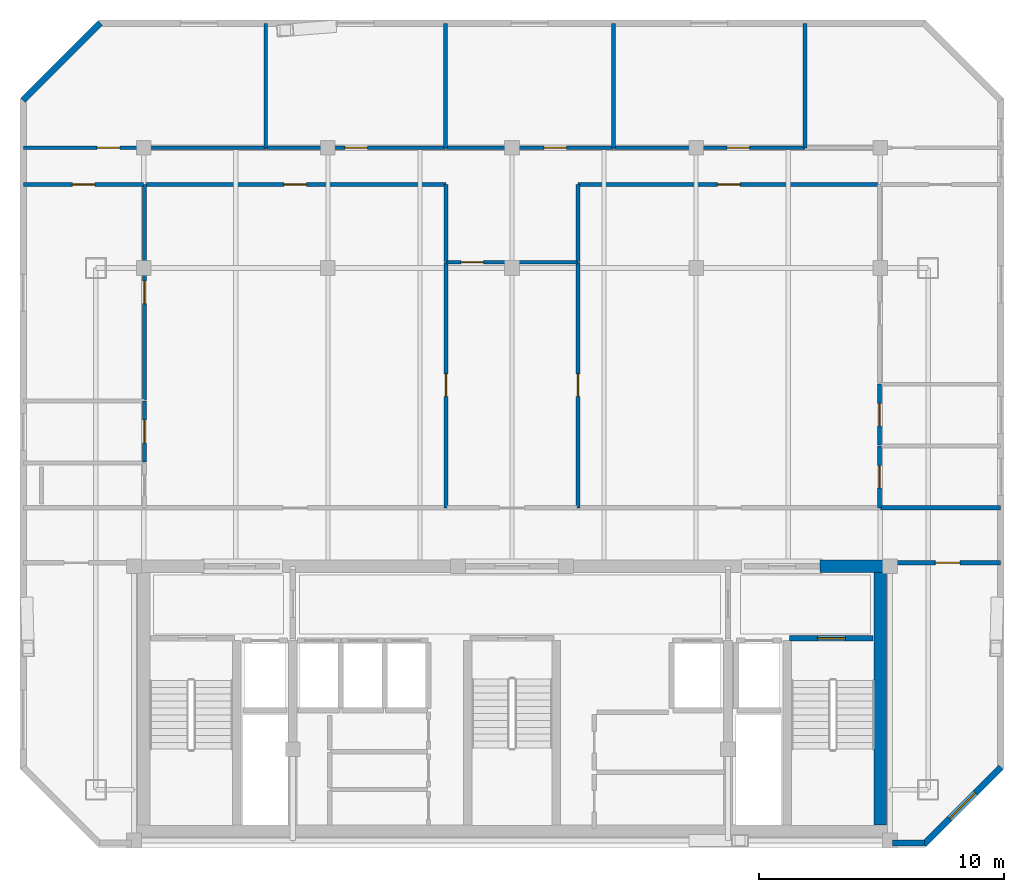
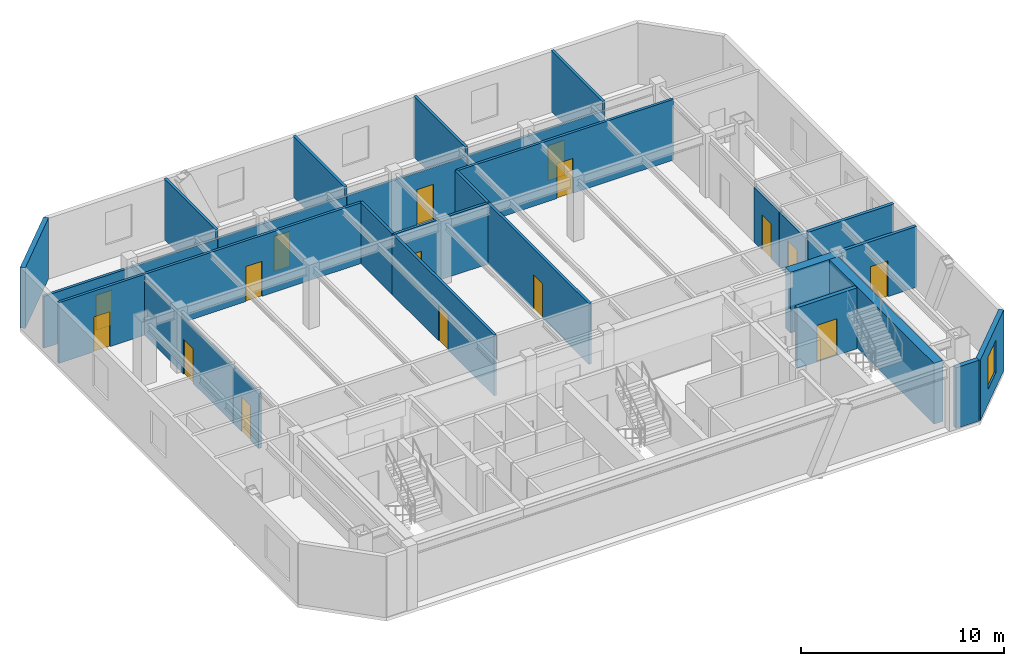
# One storey, part 4 of 6: 28 walls, 16 doors, 1 window, 17 openings.
"""IFC4 building model written with IfcOpenShell, lengths in metres."""

from ifc_helpers import new_model, si_unit, direction, frame, frame_2d, origin, place, context, subcontext, project, spatial, rectangle, extrude, material, layer, layer_set, type_object, element, fill, save


model = new_model("IFC4")

# Units and contexts
model_context = context("Model", 3, precision=1e-05, world=origin(), true_north=direction((0.0, 1.0)))
body_context = subcontext(model_context, "Body", "Model", "MODEL_VIEW")
ifc_project = project(units=[si_unit("LENGTHUNIT", "METRE"), si_unit("AREAUNIT", "SQUARE_METRE"), si_unit("VOLUMEUNIT", "CUBIC_METRE"), si_unit("PLANEANGLEUNIT", "RADIAN"), si_unit("MASSUNIT", "GRAM", prefix="KILO")], contexts=[model_context])

# Site, building, storey
site_placement = place(None, origin())
site = spatial("IfcSite", under=ifc_project, at=site_placement, CompositionType="ELEMENT")
building_placement = place(site_placement, origin())
building = spatial("IfcBuilding", under=site, at=building_placement, Name="Ventersveld Concourse Tower", CompositionType="ELEMENT")
storey_placement = place(building_placement, frame((0.0, 0.0, 300.300048828125)))
storey = spatial("IfcBuildingStorey", under=building, at=storey_placement, Name="L74", CompositionType="ELEMENT", Elevation=300.300048828125)

# Walls
ifc_material_1 = material(Name="Concrete C50/60", Category="concrete")
ifc_layer_1 = layer(ifc_material_1, 0.5)
ifc_layer_set_1 = layer_set([ifc_layer_1], Name="Concrete C50/60")
wall_type_1 = type_object("IfcWallType", Name="WL-CORE-500", PredefinedType="SHEAR", material=ifc_layer_set_1)
wall_1_placement = place(storey_placement, frame((43.75, 0.919921875, 0.0), z_axis=(0.0, 0.0, 1.0), x_axis=(0.0, 1.0, 0.0)))
element("IfcWall", 1, at=wall_1_placement, inside=storey, type_object=wall_type_1, Name="L74 Rear Core East Shear Wall", PredefinedType="SHEAR", context=body_context, shape_type="SweptSolid", body=[
    extrude(rectangle(XDim=10.530029296875, YDim=0.5, at=frame_2d((5.26513671875, 0.0))), origin(), (0.0, 0.0, 1.0), 3.64990234375),
])
wall_2_placement = place(storey_placement, frame((41.300048828125, 11.449951171875, 0.0), z_axis=(0.0, 0.0, 1.0), x_axis=(1.0, 0.0, 0.0)))
element("IfcWall", 2, at=wall_2_placement, inside=storey, type_object=wall_type_1, Name="L74 Rear Core North Shear Wall NE", PredefinedType="SHEAR", context=body_context, shape_type="SweptSolid", body=[
    extrude(rectangle(XDim=2.949951171875, YDim=0.5, at=frame_2d((1.47509765625, 0.0))), origin(), (0.0, 0.0, 1.0), 3.64990234375),
])

# Wall, opening, door
ifc_material_2 = material(Name="Fire-rated autoclaved aerated masonry blockwork", Category="masonry")
ifc_layer_2 = layer(ifc_material_2, 0.179931640625)
ifc_layer_set_2 = layer_set([ifc_layer_2], Name="Fire-rated autoclaved aerated masonry blockwork")
wall_type_2 = type_object("IfcWallType", Name="WL-CORR-180", PredefinedType="PARTITIONING", material=ifc_layer_set_2)
wall_3_placement = place(storey_placement, frame((44.35498046875, 11.60009765625, 0.0), z_axis=(0.0, 0.0, 1.0), x_axis=(1.0, 0.0, 0.0)))
wall_3 = element("IfcWall", 3, at=wall_3_placement, inside=storey, type_object=wall_type_2, Name="L74 Interior Partition SP-L74-SE-OFF-SP-L74-COR", PredefinedType="PARTITIONING", context=body_context, shape_type="SweptSolid", body=[
    extrude(rectangle(XDim=4.286865234375, YDim=0.179931640625, at=frame_2d((2.1435546875, 0.0))), origin(), (0.0, 0.0, 1.0), 3.64990234375),
])
opening_1_placement = place(wall_3_placement, frame((1.6435546875, 0.0, 0.0)))
opening_1 = element("IfcOpeningElement", 4, at=opening_1_placement, cuts=wall_3, Name="Opening FD3", PredefinedType="OPENING", context=body_context, shape_type="SweptSolid", body=[
    extrude(rectangle(XDim=1.0, YDim=2.14990234375, at=frame_2d((0.5, 1.074951171875))), frame((0.0, 0.10009765625, 0.0), z_axis=(0.0, -1.0, 0.0), x_axis=(1.0, 0.0, 0.0)), (0.0, 0.0, 1.0), 0.199951171875),
])
ifc_material_3 = material(Name="Solid-core hardwood veneer timber", Category="wood")
door_type_1 = type_object("IfcDoorType", Name="DR-FLAT-100", OperationType="NOTDEFINED", PredefinedType="DOOR", material=ifc_material_3)
door_1_placement = place(opening_1_placement, origin())
door_1 = element("IfcDoor", 5, at=door_1_placement, inside=storey, type_object=door_type_1, Name="L74 Interior Door SP-L74-SE-OFF to SP-L74-COR (D-L74-3418)", OperationType="SINGLE_SWING_RIGHT", OverallHeight=2.14990234375, OverallWidth=1.0, PredefinedType="DOOR", context=body_context, shape_type="SweptSolid", body=[
    extrude(rectangle(XDim=1.0, YDim=2.14990234375, at=frame_2d((0.5, 1.074951171875))), frame((0.0, 0.02490234375, 0.0), z_axis=(0.0, -1.0, 0.0), x_axis=(1.0, 0.0, 0.0)), (0.0, 0.0, 1.0), 0.050048828125),
])
fill(opening_1, door_1)

# Wall
wall_4_placement = place(storey_placement, frame((43.75634765625, 13.830078125, 0.0), z_axis=(0.0, 0.0, 1.0), x_axis=(1.0, 0.0, 0.0)))
element("IfcWall", 6, at=wall_4_placement, inside=storey, type_object=wall_type_2, Name="L74 Interior Partition SP-L74-COR-SP-L74-74N1-KIT", PredefinedType="PARTITIONING", context=body_context, shape_type="SweptSolid", body=[
    extrude(rectangle(XDim=4.885498046875, YDim=0.179931640625, at=frame_2d((2.44287109375, 0.0))), origin(), (0.0, 0.0, 1.0), 3.64990234375),
])

# Wall, opening, door
ifc_layer_3 = layer(ifc_material_2, 0.219970703125)
ifc_layer_set_3 = layer_set([ifc_layer_3], Name="Fire-rated autoclaved aerated masonry blockwork")
wall_type_3 = type_object("IfcWallType", Name="WL-HOIST-220", PredefinedType="SOLIDWALL", material=ifc_layer_set_3)
wall_5_placement = place(storey_placement, frame((40.06005859375, 8.52001953125, 0.0), z_axis=(0.0, 0.0, 1.0), x_axis=(1.0, 0.0, 0.0)))
wall_5 = element("IfcWall", 7, at=wall_5_placement, inside=storey, type_object=wall_type_3, Name="L74 Escape Stair ST02 Fire Wall", PredefinedType="SOLIDWALL", context=body_context, shape_type="SweptSolid", body=[
    extrude(rectangle(XDim=3.39990234375, YDim=0.219970703125, at=frame_2d((1.699951171875, 0.0))), origin(), (0.0, 0.0, 1.0), 3.64990234375),
])
opening_2_placement = place(wall_5_placement, frame((1.125, 0.0, 0.0)))
opening_2 = element("IfcOpeningElement", 8, at=opening_2_placement, cuts=wall_5, Name="Opening FD1", PredefinedType="OPENING", context=body_context, shape_type="SweptSolid", body=[
    extrude(rectangle(XDim=1.14990234375, YDim=2.199951171875, at=frame_2d((0.574951171875, 1.10009765625))), frame((0.0, 0.1201171875, 0.0), z_axis=(0.0, -1.0, 0.0), x_axis=(1.0, 0.0, 0.0)), (0.0, 0.0, 1.0), 0.239990234375),
])
ifc_material_4 = material(Name="Galvanised painted steel", Category="steel")
door_type_2 = type_object("IfcDoorType", Name="DR-STAIR-115", OperationType="NOTDEFINED", PredefinedType="DOOR", material=ifc_material_4)
door_2_placement = place(opening_2_placement, origin())
door_2 = element("IfcDoor", 9, at=door_2_placement, inside=storey, type_object=door_type_2, Name="L74 Escape Stair Door ST02 (SD-L74-3405)", OperationType="SINGLE_SWING_RIGHT", OverallHeight=2.199951171875, OverallWidth=1.14990234375, PredefinedType="DOOR", context=body_context, shape_type="SweptSolid", body=[
    extrude(rectangle(XDim=1.14990234375, YDim=2.199951171875, at=frame_2d((0.574951171875, 1.10009765625))), frame((0.0, 0.02490234375, 0.0), z_axis=(0.0, -1.0, 0.0), x_axis=(1.0, 0.0, 0.0)), (0.0, 0.0, 1.0), 0.050048828125),
])
fill(opening_2, door_2)

ifc_material_5 = material(Name="Autoclaved aerated masonry blockwork", Category="masonry")
ifc_layer_4 = layer(ifc_material_5, 0.14990234375)
ifc_layer_set_4 = layer_set([ifc_layer_4], Name="Autoclaved aerated masonry blockwork")
wall_type_4 = type_object("IfcWallType", Name="WL-INT-150", PredefinedType="PARTITIONING", material=ifc_layer_set_4)
wall_6_placement = place(storey_placement, frame((26.06005859375, 13.824951171875, 0.0), z_axis=(0.0, 0.0, 1.0), x_axis=(0.0, 1.0, 0.0)))
wall_6 = element("IfcWall", 10, at=wall_6_placement, inside=storey, type_object=wall_type_4, Name="L74 Interior Partition SP-L74-74N1-WGAL1-SP-L74-74N1-FOY", PredefinedType="PARTITIONING", context=body_context, shape_type="SweptSolid", body=[
    extrude(rectangle(XDim=10.01123046875, YDim=0.14990234375, at=frame_2d((5.005615234375, 0.0))), origin(), (0.0, 0.0, 1.0), 3.64990234375),
])
opening_3_placement = place(wall_6_placement, frame((4.545654296875, 0.0, 0.0)))
opening_3 = element("IfcOpeningElement", 11, at=opening_3_placement, cuts=wall_6, Name="Opening ID1", PredefinedType="OPENING", context=body_context, shape_type="SweptSolid", body=[
    extrude(rectangle(XDim=0.919921875, YDim=2.10009765625, at=frame_2d((0.4599609375, 1.050048828125))), frame((0.0, 0.0849609375, 0.0), z_axis=(0.0, -1.0, 0.0), x_axis=(1.0, 0.0, 0.0)), (0.0, 0.0, 1.0), 0.169921875),
])
door_type_3 = type_object("IfcDoorType", Name="DR-ROOM-092", OperationType="NOTDEFINED", PredefinedType="DOOR", material=ifc_material_3)
door_3_placement = place(opening_3_placement, origin())
door_3 = element("IfcDoor", 12, at=door_3_placement, inside=storey, type_object=door_type_3, Name="L74 Interior Door SP-L74-74N1-WGAL1 to SP-L74-74N1-FOY (D-L74-3422)", OperationType="SINGLE_SWING_RIGHT", OverallHeight=2.10009765625, OverallWidth=0.919921875, PredefinedType="DOOR", context=body_context, shape_type="SweptSolid", body=[
    extrude(rectangle(XDim=0.919921875, YDim=2.10009765625, at=frame_2d((0.4599609375, 1.050048828125))), frame((0.0, 0.02490234375, 0.0), z_axis=(0.0, -1.0, 0.0), x_axis=(1.0, 0.0, 0.0)), (0.0, 0.0, 1.0), 0.050048828125),
])
fill(opening_3, door_3)

wall_7_placement = place(storey_placement, frame((13.773681640625, 27.0, 0.0), z_axis=(0.0, 0.0, 1.0), x_axis=(1.0, 0.0, 0.0)))
wall_7 = element("IfcWall", 13, at=wall_7_placement, inside=storey, type_object=wall_type_4, Name="L74 Interior Partition SP-L74-74N1-WGAL1-SP-L74-74N1-LIV", PredefinedType="PARTITIONING", context=body_context, shape_type="SweptSolid", body=[
    extrude(rectangle(XDim=12.291259765625, YDim=0.14990234375, at=frame_2d((6.1455078125, 0.0))), origin(), (0.0, 0.0, 1.0), 3.64990234375),
])
opening_4_placement = place(wall_7_placement, frame((5.685791015625, 0.0, 0.0)))
opening_4 = element("IfcOpeningElement", 14, at=opening_4_placement, cuts=wall_7, Name="Opening ID1", PredefinedType="OPENING", context=body_context, shape_type="SweptSolid", body=[
    extrude(rectangle(XDim=0.919921875, YDim=2.10009765625, at=frame_2d((0.4599609375, 1.050048828125))), frame((0.0, 0.0849609375, 0.0), z_axis=(0.0, -1.0, 0.0), x_axis=(1.0, 0.0, 0.0)), (0.0, 0.0, 1.0), 0.169921875),
])
door_4_placement = place(opening_4_placement, origin())
door_4 = element("IfcDoor", 15, at=door_4_placement, inside=storey, type_object=door_type_3, Name="L74 Interior Door SP-L74-74N1-WGAL1 to SP-L74-74N1-LIV (D-L74-3423)", OperationType="SINGLE_SWING_LEFT", OverallHeight=2.10009765625, OverallWidth=0.919921875, PredefinedType="DOOR", context=body_context, shape_type="SweptSolid", body=[
    extrude(rectangle(XDim=0.919921875, YDim=2.10009765625, at=frame_2d((0.4599609375, 1.050048828125))), frame((0.0, 0.02490234375, 0.0), z_axis=(0.0, -1.0, 0.0), x_axis=(1.0, 0.0, 0.0)), (0.0, 0.0, 1.0), 0.050048828125),
])
fill(opening_4, door_4)

# Wall
wall_8_placement = place(storey_placement, frame((26.06005859375, 23.8662109375, 0.0), z_axis=(0.0, 0.0, 1.0), x_axis=(0.0, 1.0, 0.0)))
element("IfcWall", 16, at=wall_8_placement, inside=storey, type_object=wall_type_4, Name="L74 Interior Partition SP-L74-74N1-WGAL1-SP-L74-74N1-LIV", PredefinedType="PARTITIONING", context=body_context, shape_type="SweptSolid", body=[
    extrude(rectangle(XDim=3.138671875, YDim=0.14990234375, at=frame_2d((1.5693359375, 0.0))), origin(), (0.0, 0.0, 1.0), 3.64990234375),
])

# Wall, opening, door
wall_9_placement = place(storey_placement, frame((13.778564453125, 15.695068359375, 0.0), z_axis=(0.0, 0.0, 1.0), x_axis=(0.0, 1.0, 0.0)))
wall_9 = element("IfcWall", 17, at=wall_9_placement, inside=storey, type_object=wall_type_4, Name="L74 Interior Partition SP-L74-74N1-WGAL1-SP-L74-74N1-PANL2", PredefinedType="PARTITIONING", context=body_context, shape_type="SweptSolid", body=[
    extrude(rectangle(XDim=2.491455078125, YDim=0.14990234375, at=frame_2d((1.24560546875, 0.0))), origin(), (0.0, 0.0, 1.0), 3.294921875),
])
opening_5_placement = place(wall_9_placement, frame((0.785888671875, 0.0, 0.0)))
opening_5 = element("IfcOpeningElement", 18, at=opening_5_placement, cuts=wall_9, Name="Opening ID1", PredefinedType="OPENING", context=body_context, shape_type="SweptSolid", body=[
    extrude(rectangle(XDim=0.919921875, YDim=2.10009765625, at=frame_2d((0.4599609375, 1.050048828125))), frame((0.0, 0.0849609375, 0.0), z_axis=(0.0, -1.0, 0.0), x_axis=(1.0, 0.0, 0.0)), (0.0, 0.0, 1.0), 0.169921875),
])
door_5_placement = place(opening_5_placement, origin())
door_5 = element("IfcDoor", 19, at=door_5_placement, inside=storey, type_object=door_type_3, Name="L74 Interior Door SP-L74-74N1-WGAL1 to SP-L74-74N1-PANL2 (D-L74-3425)", OperationType="SINGLE_SWING_LEFT", OverallHeight=2.10009765625, OverallWidth=0.919921875, PredefinedType="DOOR", context=body_context, shape_type="SweptSolid", body=[
    extrude(rectangle(XDim=0.919921875, YDim=2.10009765625, at=frame_2d((0.4599609375, 1.050048828125))), frame((0.0, 0.02490234375, 0.0), z_axis=(0.0, -1.0, 0.0), x_axis=(1.0, 0.0, 0.0)), (0.0, 0.0, 1.0), 0.050048828125),
])
fill(opening_5, door_5)

wall_10_placement = place(storey_placement, frame((13.778564453125, 18.216552734375, 0.0), z_axis=(0.0, 0.0, 1.0), x_axis=(0.0, 1.0, 0.0)))
wall_10 = element("IfcWall", 20, at=wall_10_placement, inside=storey, type_object=wall_type_4, Name="L74 Interior Partition SP-L74-74N1-WGAL1-SP-L74-74N1-OFFL0", PredefinedType="PARTITIONING", context=body_context, shape_type="SweptSolid", body=[
    extrude(rectangle(XDim=8.788330078125, YDim=0.14990234375, at=frame_2d((4.39404296875, 0.0))), origin(), (0.0, 0.0, 1.0), 3.294921875),
])
opening_6_placement = place(wall_10_placement, frame((3.93408203125, 0.0, 0.0)))
opening_6 = element("IfcOpeningElement", 21, at=opening_6_placement, cuts=wall_10, Name="Opening ID1", PredefinedType="OPENING", context=body_context, shape_type="SweptSolid", body=[
    extrude(rectangle(XDim=0.919921875, YDim=2.10009765625, at=frame_2d((0.4599609375, 1.050048828125))), frame((0.0, 0.0849609375, 0.0), z_axis=(0.0, -1.0, 0.0), x_axis=(1.0, 0.0, 0.0)), (0.0, 0.0, 1.0), 0.169921875),
])
door_6_placement = place(opening_6_placement, origin())
door_6 = element("IfcDoor", 22, at=door_6_placement, inside=storey, type_object=door_type_3, Name="L74 Interior Door SP-L74-74N1-WGAL1 to SP-L74-74N1-OFFL0 (D-L74-3426)", OperationType="SINGLE_SWING_RIGHT", OverallHeight=2.10009765625, OverallWidth=0.919921875, PredefinedType="DOOR", context=body_context, shape_type="SweptSolid", body=[
    extrude(rectangle(XDim=0.919921875, YDim=2.10009765625, at=frame_2d((0.4599609375, 1.050048828125))), frame((0.0, 0.02490234375, 0.0), z_axis=(0.0, -1.0, 0.0), x_axis=(1.0, 0.0, 0.0)), (0.0, 0.0, 1.0), 0.050048828125),
])
fill(opening_6, door_6)

wall_11_placement = place(storey_placement, frame((31.43994140625, 13.824951171875, 0.0), z_axis=(0.0, 0.0, 1.0), x_axis=(0.0, 1.0, 0.0)))
wall_11 = element("IfcWall", 23, at=wall_11_placement, inside=storey, type_object=wall_type_4, Name="L74 Interior Partition SP-L74-74N1-EGAL1-SP-L74-74N1-FOY", PredefinedType="PARTITIONING", context=body_context, shape_type="SweptSolid", body=[
    extrude(rectangle(XDim=10.01123046875, YDim=0.14990234375, at=frame_2d((5.005615234375, 0.0))), origin(), (0.0, 0.0, 1.0), 3.64990234375),
])
opening_7_placement = place(wall_11_placement, frame((4.545654296875, 0.0, 0.0)))
opening_7 = element("IfcOpeningElement", 24, at=opening_7_placement, cuts=wall_11, Name="Opening ID1", PredefinedType="OPENING", context=body_context, shape_type="SweptSolid", body=[
    extrude(rectangle(XDim=0.919921875, YDim=2.10009765625, at=frame_2d((0.4599609375, 1.050048828125))), frame((0.0, 0.0849609375, 0.0), z_axis=(0.0, -1.0, 0.0), x_axis=(1.0, 0.0, 0.0)), (0.0, 0.0, 1.0), 0.169921875),
])
door_7_placement = place(opening_7_placement, origin())
door_7 = element("IfcDoor", 25, at=door_7_placement, inside=storey, type_object=door_type_3, Name="L74 Interior Door SP-L74-74N1-EGAL1 to SP-L74-74N1-FOY (D-L74-3427)", OperationType="SINGLE_SWING_LEFT", OverallHeight=2.10009765625, OverallWidth=0.919921875, PredefinedType="DOOR", context=body_context, shape_type="SweptSolid", body=[
    extrude(rectangle(XDim=0.919921875, YDim=2.10009765625, at=frame_2d((0.4599609375, 1.050048828125))), frame((0.0, 0.02490234375, 0.0), z_axis=(0.0, -1.0, 0.0), x_axis=(1.0, 0.0, 0.0)), (0.0, 0.0, 1.0), 0.050048828125),
])
fill(opening_7, door_7)

wall_12_placement = place(storey_placement, frame((31.43505859375, 27.0, 0.0), z_axis=(0.0, 0.0, 1.0), x_axis=(1.0, 0.0, 0.0)))
wall_12 = element("IfcWall", 26, at=wall_12_placement, inside=storey, type_object=wall_type_4, Name="L74 Interior Partition SP-L74-74N1-EGAL1-SP-L74-74N1-LIV", PredefinedType="PARTITIONING", context=body_context, shape_type="SweptSolid", body=[
    extrude(rectangle(XDim=12.291259765625, YDim=0.14990234375, at=frame_2d((6.1455078125, 0.0))), origin(), (0.0, 0.0, 1.0), 3.64990234375),
])
opening_8_placement = place(wall_12_placement, frame((5.685791015625, 0.0, 0.0)))
opening_8 = element("IfcOpeningElement", 27, at=opening_8_placement, cuts=wall_12, Name="Opening ID1", PredefinedType="OPENING", context=body_context, shape_type="SweptSolid", body=[
    extrude(rectangle(XDim=0.919921875, YDim=2.10009765625, at=frame_2d((0.4599609375, 1.050048828125))), frame((0.0, 0.0849609375, 0.0), z_axis=(0.0, -1.0, 0.0), x_axis=(1.0, 0.0, 0.0)), (0.0, 0.0, 1.0), 0.169921875),
])
door_8_placement = place(opening_8_placement, origin())
door_8 = element("IfcDoor", 28, at=door_8_placement, inside=storey, type_object=door_type_3, Name="L74 Interior Door SP-L74-74N1-EGAL1 to SP-L74-74N1-LIV (D-L74-3428)", OperationType="SINGLE_SWING_RIGHT", OverallHeight=2.10009765625, OverallWidth=0.919921875, PredefinedType="DOOR", context=body_context, shape_type="SweptSolid", body=[
    extrude(rectangle(XDim=0.919921875, YDim=2.10009765625, at=frame_2d((0.4599609375, 1.050048828125))), frame((0.0, 0.02490234375, 0.0), z_axis=(0.0, -1.0, 0.0), x_axis=(1.0, 0.0, 0.0)), (0.0, 0.0, 1.0), 0.050048828125),
])
fill(opening_8, door_8)

# Wall
wall_13_placement = place(storey_placement, frame((31.43994140625, 23.8662109375, 0.0), z_axis=(0.0, 0.0, 1.0), x_axis=(0.0, 1.0, 0.0)))
element("IfcWall", 29, at=wall_13_placement, inside=storey, type_object=wall_type_4, Name="L74 Interior Partition SP-L74-74N1-EGAL1-SP-L74-74N1-LIV", PredefinedType="PARTITIONING", context=body_context, shape_type="SweptSolid", body=[
    extrude(rectangle(XDim=3.138671875, YDim=0.14990234375, at=frame_2d((1.5693359375, 0.0))), origin(), (0.0, 0.0, 1.0), 3.64990234375),
])

# Wall, opening, door
wall_14_placement = place(storey_placement, frame((43.721435546875, 13.824951171875, 0.0), z_axis=(0.0, 0.0, 1.0), x_axis=(0.0, 1.0, 0.0)))
wall_14 = element("IfcWall", 30, at=wall_14_placement, inside=storey, type_object=wall_type_4, Name="L74 Interior Partition SP-L74-74N1-EGAL1-SP-L74-74N1-KIT", PredefinedType="PARTITIONING", context=body_context, shape_type="SweptSolid", body=[
    extrude(rectangle(XDim=2.531494140625, YDim=0.14990234375, at=frame_2d((1.265625, 0.0))), origin(), (0.0, 0.0, 1.0), 3.294921875),
])
opening_9_placement = place(wall_14_placement, frame((0.805908203125, 0.0, 0.0)))
opening_9 = element("IfcOpeningElement", 31, at=opening_9_placement, cuts=wall_14, Name="Opening ID1", PredefinedType="OPENING", context=body_context, shape_type="SweptSolid", body=[
    extrude(rectangle(XDim=0.919921875, YDim=2.10009765625, at=frame_2d((0.4599609375, 1.050048828125))), frame((0.0, 0.0849609375, 0.0), z_axis=(0.0, -1.0, 0.0), x_axis=(1.0, 0.0, 0.0)), (0.0, 0.0, 1.0), 0.169921875),
])
door_9_placement = place(opening_9_placement, origin())
door_9 = element("IfcDoor", 32, at=door_9_placement, inside=storey, type_object=door_type_3, Name="L74 Interior Door SP-L74-74N1-EGAL1 to SP-L74-74N1-KIT (D-L74-3429)", OperationType="SINGLE_SWING_LEFT", OverallHeight=2.10009765625, OverallWidth=0.919921875, PredefinedType="DOOR", context=body_context, shape_type="SweptSolid", body=[
    extrude(rectangle(XDim=0.919921875, YDim=2.10009765625, at=frame_2d((0.4599609375, 1.050048828125))), frame((0.0, 0.02490234375, 0.0), z_axis=(0.0, -1.0, 0.0), x_axis=(1.0, 0.0, 0.0)), (0.0, 0.0, 1.0), 0.050048828125),
])
fill(opening_9, door_9)

wall_15_placement = place(storey_placement, frame((43.721435546875, 16.386474609375, 0.0), z_axis=(0.0, 0.0, 1.0), x_axis=(0.0, 1.0, 0.0)))
wall_15 = element("IfcWall", 33, at=wall_15_placement, inside=storey, type_object=wall_type_4, Name="L74 Interior Partition SP-L74-74N1-EGAL1-SP-L74-74N1-PANR3", PredefinedType="PARTITIONING", context=body_context, shape_type="SweptSolid", body=[
    extrude(rectangle(XDim=2.491455078125, YDim=0.14990234375, at=frame_2d((1.24560546875, 0.0))), origin(), (0.0, 0.0, 1.0), 3.294921875),
])
opening_10_placement = place(wall_15_placement, frame((0.78564453125, 0.0, 0.0)))
opening_10 = element("IfcOpeningElement", 34, at=opening_10_placement, cuts=wall_15, Name="Opening ID1", PredefinedType="OPENING", context=body_context, shape_type="SweptSolid", body=[
    extrude(rectangle(XDim=0.919921875, YDim=2.10009765625, at=frame_2d((0.4599609375, 1.050048828125))), frame((0.0, 0.0849609375, 0.0), z_axis=(0.0, -1.0, 0.0), x_axis=(1.0, 0.0, 0.0)), (0.0, 0.0, 1.0), 0.169921875),
])
door_10_placement = place(opening_10_placement, origin())
door_10 = element("IfcDoor", 35, at=door_10_placement, inside=storey, type_object=door_type_3, Name="L74 Interior Door SP-L74-74N1-EGAL1 to SP-L74-74N1-PANR3 (D-L74-3430)", OperationType="SINGLE_SWING_RIGHT", OverallHeight=2.10009765625, OverallWidth=0.919921875, PredefinedType="DOOR", context=body_context, shape_type="SweptSolid", body=[
    extrude(rectangle(XDim=0.919921875, YDim=2.10009765625, at=frame_2d((0.4599609375, 1.050048828125))), frame((0.0, 0.02490234375, 0.0), z_axis=(0.0, -1.0, 0.0), x_axis=(1.0, 0.0, 0.0)), (0.0, 0.0, 1.0), 0.050048828125),
])
fill(opening_10, door_10)

wall_16_placement = place(storey_placement, frame((26.054931640625, 23.831298828125, 0.0), z_axis=(0.0, 0.0, 1.0), x_axis=(1.0, 0.0, 0.0)))
wall_16 = element("IfcWall", 36, at=wall_16_placement, inside=storey, type_object=wall_type_4, Name="L74 Interior Partition SP-L74-74N1-FOY-SP-L74-74N1-LIV", PredefinedType="PARTITIONING", context=body_context, shape_type="SweptSolid", body=[
    extrude(rectangle(XDim=5.39013671875, YDim=0.14990234375, at=frame_2d((2.695068359375, 0.0))), origin(), (0.0, 0.0, 1.0), 3.64990234375),
])
opening_11_placement = place(wall_16_placement, frame((0.617919921875, 0.0, 0.0)))
opening_11 = element("IfcOpeningElement", 37, at=opening_11_placement, cuts=wall_16, Name="Opening ID1", PredefinedType="OPENING", context=body_context, shape_type="SweptSolid", body=[
    extrude(rectangle(XDim=0.919921875, YDim=2.10009765625, at=frame_2d((0.4599609375, 1.050048828125))), frame((0.0, 0.0849609375, 0.0), z_axis=(0.0, -1.0, 0.0), x_axis=(1.0, 0.0, 0.0)), (0.0, 0.0, 1.0), 0.169921875),
])
door_11_placement = place(opening_11_placement, origin())
door_11 = element("IfcDoor", 38, at=door_11_placement, inside=storey, type_object=door_type_3, Name="L74 Interior Door SP-L74-74N1-FOY to SP-L74-74N1-LIV (D-L74-3432)", OperationType="SINGLE_SWING_RIGHT", OverallHeight=2.10009765625, OverallWidth=0.919921875, PredefinedType="DOOR", context=body_context, shape_type="SweptSolid", body=[
    extrude(rectangle(XDim=0.919921875, YDim=2.10009765625, at=frame_2d((0.4599609375, 1.050048828125))), frame((0.0, 0.02490234375, 0.0), z_axis=(0.0, -1.0, 0.0), x_axis=(1.0, 0.0, 0.0)), (0.0, 0.0, 1.0), 0.050048828125),
])
fill(opening_11, door_11)

wall_17_placement = place(storey_placement, frame((8.858154296875, 27.0, 0.0), z_axis=(0.0, 0.0, 1.0), x_axis=(1.0, 0.0, 0.0)))
wall_17 = element("IfcWall", 39, at=wall_17_placement, inside=storey, type_object=wall_type_4, Name="L74 Interior Partition SP-L74-74N1-LIV-SP-L74-74N1-OFFL0", PredefinedType="PARTITIONING", context=body_context, shape_type="SweptSolid", body=[
    extrude(rectangle(XDim=4.885498046875, YDim=0.14990234375, at=frame_2d((2.44287109375, 0.0))), origin(), (0.0, 0.0, 1.0), 3.64990234375),
])
opening_12_placement = place(wall_17_placement, frame((1.98291015625, 0.0, 0.0)))
opening_12 = element("IfcOpeningElement", 40, at=opening_12_placement, cuts=wall_17, Name="Opening ID1", PredefinedType="OPENING", context=body_context, shape_type="SweptSolid", body=[
    extrude(rectangle(XDim=0.919921875, YDim=2.10009765625, at=frame_2d((0.4599609375, 1.050048828125))), frame((0.0, 0.0849609375, 0.0), z_axis=(0.0, -1.0, 0.0), x_axis=(1.0, 0.0, 0.0)), (0.0, 0.0, 1.0), 0.169921875),
])
door_12_placement = place(opening_12_placement, origin())
door_12 = element("IfcDoor", 41, at=door_12_placement, inside=storey, type_object=door_type_3, Name="L74 Interior Door SP-L74-74N1-LIV to SP-L74-74N1-OFFL0 (D-L74-3433)", OperationType="SINGLE_SWING_LEFT", OverallHeight=2.10009765625, OverallWidth=0.919921875, PredefinedType="DOOR", context=body_context, shape_type="SweptSolid", body=[
    extrude(rectangle(XDim=0.919921875, YDim=2.10009765625, at=frame_2d((0.4599609375, 1.050048828125))), frame((0.0, 0.02490234375, 0.0), z_axis=(0.0, -1.0, 0.0), x_axis=(1.0, 0.0, 0.0)), (0.0, 0.0, 1.0), 0.050048828125),
])
fill(opening_12, door_12)

wall_18_placement = place(storey_placement, frame((8.858154296875, 28.5, 0.0), z_axis=(0.0, 0.0, 1.0), x_axis=(1.0, 0.0, 0.0)))
wall_18 = element("IfcWall", 42, at=wall_18_placement, inside=storey, type_object=wall_type_4, Name="L74 Interior Partition SP-L74-74N1-LIV-SP-L74-74N1-BR1", PredefinedType="PARTITIONING", context=body_context, shape_type="SweptSolid", body=[
    extrude(rectangle(XDim=9.869140625, YDim=0.14990234375, at=frame_2d((4.9345703125, 0.0))), origin(), (0.0, 0.0, 1.0), 3.116943359375),
])
opening_13_placement = place(wall_18_placement, frame((2.994140625, 0.0, 0.0)))
opening_13 = element("IfcOpeningElement", 43, at=opening_13_placement, cuts=wall_18, Name="Opening ID1", PredefinedType="OPENING", context=body_context, shape_type="SweptSolid", body=[
    extrude(rectangle(XDim=0.919921875, YDim=2.10009765625, at=frame_2d((0.4599609375, 1.050048828125))), frame((0.0, 0.0849609375, 0.0), z_axis=(0.0, -1.0, 0.0), x_axis=(1.0, 0.0, 0.0)), (0.0, 0.0, 1.0), 0.169921875),
])
door_13_placement = place(opening_13_placement, origin())
door_13 = element("IfcDoor", 44, at=door_13_placement, inside=storey, type_object=door_type_3, Name="L74 Interior Door SP-L74-74N1-LIV to SP-L74-74N1-BR1 (D-L74-3435)", OperationType="SINGLE_SWING_LEFT", OverallHeight=2.10009765625, OverallWidth=0.919921875, PredefinedType="DOOR", context=body_context, shape_type="SweptSolid", body=[
    extrude(rectangle(XDim=0.919921875, YDim=2.10009765625, at=frame_2d((0.4599609375, 1.050048828125))), frame((0.0, 0.02490234375, 0.0), z_axis=(0.0, -1.0, 0.0), x_axis=(1.0, 0.0, 0.0)), (0.0, 0.0, 1.0), 0.050048828125),
])
fill(opening_13, door_13)

wall_19_placement = place(storey_placement, frame((18.75732421875, 28.5, 0.0), z_axis=(0.0, 0.0, 1.0), x_axis=(1.0, 0.0, 0.0)))
wall_19 = element("IfcWall", 45, at=wall_19_placement, inside=storey, type_object=wall_type_4, Name="L74 Interior Partition SP-L74-74N1-LIV-SP-L74-74N1-BR2", PredefinedType="PARTITIONING", context=body_context, shape_type="SweptSolid", body=[
    extrude(rectangle(XDim=7.289794921875, YDim=0.14990234375, at=frame_2d((3.64501953125, 0.0))), origin(), (0.0, 0.0, 1.0), 3.116943359375),
])
opening_14_placement = place(wall_19_placement, frame((3.184814453125, 0.0, 0.0)))
opening_14 = element("IfcOpeningElement", 46, at=opening_14_placement, cuts=wall_19, Name="Opening ID1", PredefinedType="OPENING", context=body_context, shape_type="SweptSolid", body=[
    extrude(rectangle(XDim=0.919921875, YDim=2.10009765625, at=frame_2d((0.4599609375, 1.050048828125))), frame((0.0, 0.0849609375, 0.0), z_axis=(0.0, -1.0, 0.0), x_axis=(1.0, 0.0, 0.0)), (0.0, 0.0, 1.0), 0.169921875),
])
door_14_placement = place(opening_14_placement, origin())
door_14 = element("IfcDoor", 47, at=door_14_placement, inside=storey, type_object=door_type_3, Name="L74 Interior Door SP-L74-74N1-LIV to SP-L74-74N1-BR2 (D-L74-3436)", OperationType="SINGLE_SWING_RIGHT", OverallHeight=2.10009765625, OverallWidth=0.919921875, PredefinedType="DOOR", context=body_context, shape_type="SweptSolid", body=[
    extrude(rectangle(XDim=0.919921875, YDim=2.10009765625, at=frame_2d((0.4599609375, 1.050048828125))), frame((0.0, 0.02490234375, 0.0), z_axis=(0.0, -1.0, 0.0), x_axis=(1.0, 0.0, 0.0)), (0.0, 0.0, 1.0), 0.050048828125),
])
fill(opening_14, door_14)

wall_20_placement = place(storey_placement, frame((26.0771484375, 28.5, 0.0), z_axis=(0.0, 0.0, 1.0), x_axis=(1.0, 0.0, 0.0)))
wall_20 = element("IfcWall", 48, at=wall_20_placement, inside=storey, type_object=wall_type_4, Name="L74 Interior Partition SP-L74-74N1-LIV-SP-L74-74N1-BR3", PredefinedType="PARTITIONING", context=body_context, shape_type="SweptSolid", body=[
    extrude(rectangle(XDim=6.813720703125, YDim=0.14990234375, at=frame_2d((3.40673828125, 0.0))), origin(), (0.0, 0.0, 1.0), 3.116943359375),
])
opening_15_placement = place(wall_20_placement, frame((3.968994140625, 0.0, 0.0)))
opening_15 = element("IfcOpeningElement", 49, at=opening_15_placement, cuts=wall_20, Name="Opening ID1", PredefinedType="OPENING", context=body_context, shape_type="SweptSolid", body=[
    extrude(rectangle(XDim=0.919921875, YDim=2.10009765625, at=frame_2d((0.4599609375, 1.050048828125))), frame((0.0, 0.0849609375, 0.0), z_axis=(0.0, -1.0, 0.0), x_axis=(1.0, 0.0, 0.0)), (0.0, 0.0, 1.0), 0.169921875),
])
door_15_placement = place(opening_15_placement, origin())
door_15 = element("IfcDoor", 50, at=door_15_placement, inside=storey, type_object=door_type_3, Name="L74 Interior Door SP-L74-74N1-LIV to SP-L74-74N1-BR3 (D-L74-3437)", OperationType="SINGLE_SWING_LEFT", OverallHeight=2.10009765625, OverallWidth=0.919921875, PredefinedType="DOOR", context=body_context, shape_type="SweptSolid", body=[
    extrude(rectangle(XDim=0.919921875, YDim=2.10009765625, at=frame_2d((0.4599609375, 1.050048828125))), frame((0.0, 0.02490234375, 0.0), z_axis=(0.0, -1.0, 0.0), x_axis=(1.0, 0.0, 0.0)), (0.0, 0.0, 1.0), 0.050048828125),
])
fill(opening_15, door_15)

wall_21_placement = place(storey_placement, frame((32.9208984375, 28.5, 0.0), z_axis=(0.0, 0.0, 1.0), x_axis=(1.0, 0.0, 0.0)))
wall_21 = element("IfcWall", 51, at=wall_21_placement, inside=storey, type_object=wall_type_4, Name="L74 Interior Partition SP-L74-74N1-LIV-SP-L74-74N1-BR4", PredefinedType="PARTITIONING", context=body_context, shape_type="SweptSolid", body=[
    extrude(rectangle(XDim=7.765869140625, YDim=0.14990234375, at=frame_2d((3.8828125, 0.0))), origin(), (0.0, 0.0, 1.0), 3.116943359375),
])
opening_16_placement = place(wall_21_placement, frame((4.587890625, 0.0, 0.0)))
opening_16 = element("IfcOpeningElement", 52, at=opening_16_placement, cuts=wall_21, Name="Opening ID1", PredefinedType="OPENING", context=body_context, shape_type="SweptSolid", body=[
    extrude(rectangle(XDim=0.919921875, YDim=2.10009765625, at=frame_2d((0.4599609375, 1.050048828125))), frame((0.0, 0.0849609375, 0.0), z_axis=(0.0, -1.0, 0.0), x_axis=(1.0, 0.0, 0.0)), (0.0, 0.0, 1.0), 0.169921875),
])
door_16_placement = place(opening_16_placement, origin())
door_16 = element("IfcDoor", 53, at=door_16_placement, inside=storey, type_object=door_type_3, Name="L74 Interior Door SP-L74-74N1-LIV to SP-L74-74N1-BR4 (D-L74-3438)", OperationType="SINGLE_SWING_RIGHT", OverallHeight=2.10009765625, OverallWidth=0.919921875, PredefinedType="DOOR", context=body_context, shape_type="SweptSolid", body=[
    extrude(rectangle(XDim=0.919921875, YDim=2.10009765625, at=frame_2d((0.4599609375, 1.050048828125))), frame((0.0, 0.02490234375, 0.0), z_axis=(0.0, -1.0, 0.0), x_axis=(1.0, 0.0, 0.0)), (0.0, 0.0, 1.0), 0.050048828125),
])
fill(opening_16, door_16)

# Walls
for number, where, z_axis, x_axis, name in (
    (54, (18.722412109375, 28.4951171875, 0.0), (0.0, 0.0, 1.0), (0.0, 1.0, 0.0), "L74 Interior Partition SP-L74-74N1-BR1-SP-L74-74N1-BR2"),
    (55, (26.0419921875, 28.4951171875, 0.0), (0.0, 0.0, 1.0), (0.0, 1.0, 0.0), "L74 Interior Partition SP-L74-74N1-BR2-SP-L74-74N1-BR3"),
    (56, (32.885986328125, 28.4951171875, 0.0), (0.0, 0.0, 1.0), (0.0, 1.0, 0.0), "L74 Interior Partition SP-L74-74N1-BR3-SP-L74-74N1-BR4"),
    (57, (40.681640625, 28.4951171875, 0.0), (0.0, 0.0, 1.0), (0.0, 1.0, 0.0), "L74 Interior Partition SP-L74-74N1-BR4-SP-L74-74N1-BR5"),
):
    element("IfcWall", number, at=place(storey_placement, frame(where, z_axis=z_axis, x_axis=x_axis)), inside=storey, type_object=wall_type_4, Name=name, PredefinedType="PARTITIONING", context=body_context, shape_type="SweptSolid", body=[
        extrude(rectangle(XDim=5.059814453125, YDim=0.14990234375, at=frame_2d((2.52978515625, 0.0))), origin(), (0.0, 0.0, 1.0), 3.64990234375),
    ])
ifc_material_6 = material(Name="Precast concrete C45/55", Category="concrete")
ifc_layer_5 = layer(ifc_material_6, 0.260009765625)
ifc_layer_set_5 = layer_set([ifc_layer_5], Name="Precast concrete C45/55")
wall_type_5 = type_object("IfcWallType", Name="WL-PREC-260", PredefinedType="SOLIDWALL", material=ifc_layer_set_5)
wall_22_placement = place(storey_placement, frame((44.25, 0.179931640625, 0.0), z_axis=(0.0, 0.0, 1.0), x_axis=(1.0, 0.0, 0.0)))
element("IfcWall", 58, at=wall_22_placement, inside=storey, type_object=wall_type_5, Name="L74 South-East Flank Precast Wall", PredefinedType="SOLIDWALL", context=body_context, shape_type="SweptSolid", body=[
    extrude(rectangle(XDim=1.301513671875, YDim=0.260009765625, at=frame_2d((0.65087890625, 0.0))), origin(), (0.0, 0.0, 1.0), 3.64990234375),
])

# Wall, opening, window
wall_23_placement = place(storey_placement, frame((45.52783203125, 0.1201171875, 0.0), z_axis=(0.0, 0.0, 1.0), x_axis=(0.707079321262, 0.707134240044, 0.0)))
wall_23 = element("IfcWall", 59, at=wall_23_placement, inside=storey, type_object=wall_type_5, Name="L74 Highveld Precast Facade Wall E02", PredefinedType="SOLIDWALL", context=body_context, shape_type="SweptSolid", body=[
    extrude(rectangle(XDim=4.445556640625, YDim=0.260009765625, at=frame_2d((2.22265625, 0.0))), origin(), (0.0, 0.0, 1.0), 3.64990234375),
])
opening_17_placement = place(wall_23_placement, frame((1.47265625, 0.0, 0.89990234375)))
opening_17 = element("IfcOpeningElement", 60, at=opening_17_placement, cuts=wall_23, Name="Opening W1", PredefinedType="OPENING", context=body_context, shape_type="SweptSolid", body=[
    extrude(rectangle(XDim=1.5, YDim=1.949951171875, at=frame_2d((0.75, 0.97509765625))), frame((0.0, 0.14013671875, 0.0), z_axis=(0.0, -1.0, 0.0), x_axis=(1.0, 0.0, 0.0)), (0.0, 0.0, 1.0), 0.280029296875),
])
ifc_material_7 = material(Name="Tempered acoustic Low-E IGU", Category="glass")
window_type = type_object("IfcWindowType", Name="WIN-150x210", PartitioningType="SINGLE_PANEL", PredefinedType="WINDOW", material=ifc_material_7)
window_placement = place(opening_17_placement, origin())
window = element("IfcWindow", 61, at=window_placement, inside=storey, type_object=window_type, Name="L74 Punched Low-E Window W-1050", OverallHeight=1.949951171875, OverallWidth=1.5, PartitioningType="SINGLE_PANEL", PredefinedType="WINDOW", context=body_context, shape_type="SweptSolid", body=[
    extrude(rectangle(XDim=1.5, YDim=1.949951171875, at=frame_2d((0.75, 0.97509765625))), frame((0.0, 0.030029296875, 0.0), z_axis=(0.0, -1.0, 0.0), x_axis=(1.0, 0.0, 0.0)), (0.0, 0.0, 1.0), 0.06005859375),
])
fill(opening_17, window)

# Wall
wall_24_placement = place(storey_placement, frame((11.97216796875, 33.584228515625, 0.0), z_axis=(0.0, 0.0, 1.0), x_axis=(-0.707106781187, -0.707106781187, 0.0)))
element("IfcWall", 62, at=wall_24_placement, inside=storey, type_object=wall_type_5, Name="L74 Highveld Precast Facade Wall E06", PredefinedType="SOLIDWALL", context=body_context, shape_type="SweptSolid", body=[
    extrude(rectangle(XDim=4.4453125, YDim=0.260009765625, at=frame_2d((2.22265625, 0.0))), origin(), (0.0, 0.0, 1.0), 3.64990234375),
])

save(model, "model.ifc")
